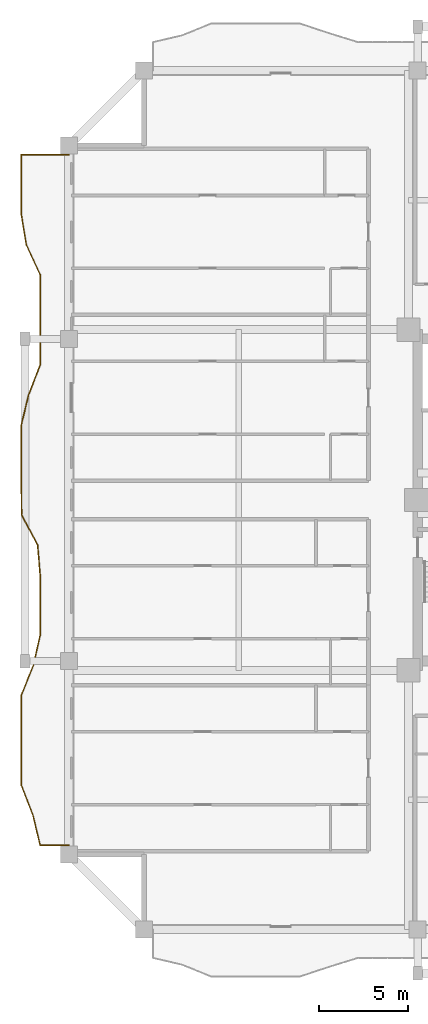
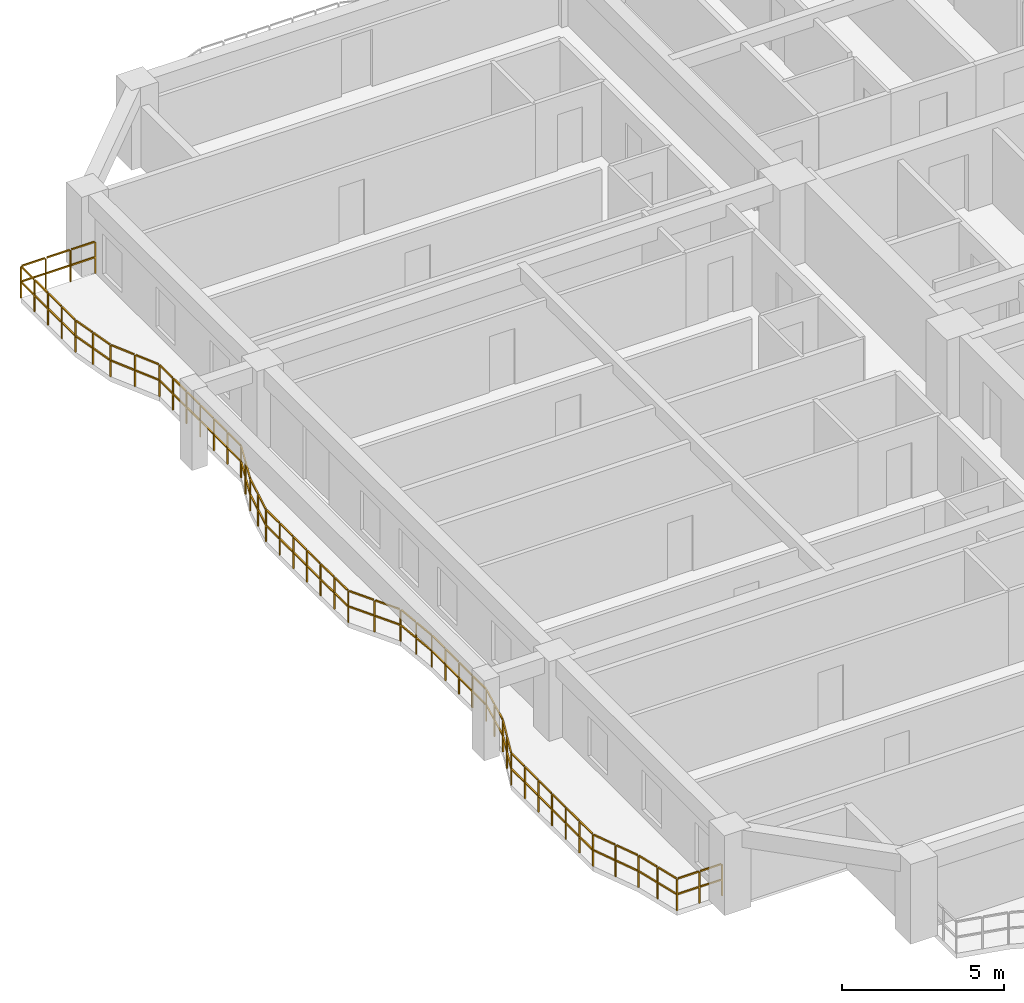
# One storey, part 10 of 13: 1 railing.
"""IFC4 building model written with IfcOpenShell, lengths in metres."""

from ifc_helpers import new_model, si_unit, direction, frame, origin, origin_2d, place, context, subcontext, project, spatial, rectangle, extrude, material, type_object, element, save


model = new_model("IFC4")

# Units and contexts
model_context = context("Model", 3, precision=1e-05, world=origin(), true_north=direction((0.0, 1.0)))
body_context = subcontext(model_context, "Body", "Model", "MODEL_VIEW")
ifc_project = project(units=[si_unit("LENGTHUNIT", "METRE"), si_unit("AREAUNIT", "SQUARE_METRE"), si_unit("VOLUMEUNIT", "CUBIC_METRE"), si_unit("PLANEANGLEUNIT", "RADIAN"), si_unit("MASSUNIT", "GRAM", prefix="KILO")], contexts=[model_context])

# Site, building, storey
site_placement = place(None, origin())
site = spatial("IfcSite", under=ifc_project, at=site_placement, CompositionType="ELEMENT")
building_placement = place(site_placement, origin())
building = spatial("IfcBuilding", under=site, at=building_placement, Name="Saelheon Loggia Tower", CompositionType="ELEMENT")
storey_placement = place(building_placement, frame((0.0, 0.0, 110.85009765625)))
storey = spatial("IfcBuildingStorey", under=building, at=storey_placement, Name="L35", CompositionType="ELEMENT", Elevation=110.85009765625)

# Railing
ifc_material = material(Name="Architectural Precast Concrete and Laminated Glass Guard", Category="concrete")
railing_type = type_object("IfcRailingType", Name="Guard_Loggia_RL_LOG", PredefinedType="BALUSTRADE", material=ifc_material)
railing_placement = place(storey_placement, frame((12.0, 46.300048828125, 0.0)))
element("IfcRailing", 1, at=railing_placement, inside=storey, type_object=railing_type, Name="L35 West Loggia Balustrade", PredefinedType="BALUSTRADE", context=body_context, shape_type="SweptSolid", body=[
    extrude(rectangle(XDim=0.048095703125, YDim=0.048095703125, at=origin_2d()), frame((-0.033203125, 0.0, 1.19580078125), z_axis=(-1.0, 0.0, 0.0), x_axis=(0.0, -1.0, 0.0)), (0.0, 0.0, 1.0), 0.81689453125),
    extrude(rectangle(XDim=0.048095703125, YDim=0.048095703125, at=origin_2d()), frame((-0.033203125, 0.0, 0.60986328125), z_axis=(-1.0, 0.0, 0.0), x_axis=(0.0, -1.0, 0.0)), (0.0, 0.0, 1.0), 0.81689453125),
    extrude(rectangle(XDim=0.048095703125, YDim=0.048095703125, at=origin_2d()), frame((-0.91650390625, 0.0, 1.19580078125), z_axis=(-1.0, 0.0, 0.0), x_axis=(0.0, -1.0, 0.0)), (0.0, 0.0, 1.0), 0.81689453125),
    extrude(rectangle(XDim=0.048095703125, YDim=0.048095703125, at=origin_2d()), frame((-0.91650390625, 0.0, 0.60986328125), z_axis=(-1.0, 0.0, 0.0), x_axis=(0.0, -1.0, 0.0)), (0.0, 0.0, 1.0), 0.81689453125),
    extrude(rectangle(XDim=0.048095703125, YDim=0.048095703125, at=origin_2d()), frame((-1.7998046875, 0.0, 1.19580078125), z_axis=(-1.0, 0.0, 0.0), x_axis=(0.0, -1.0, 0.0)), (0.0, 0.0, 1.0), 0.81689453125),
    extrude(rectangle(XDim=0.048095703125, YDim=0.048095703125, at=origin_2d()), frame((-1.7998046875, 0.0, 0.60986328125), z_axis=(-1.0, 0.0, 0.0), x_axis=(0.0, -1.0, 0.0)), (0.0, 0.0, 1.0), 0.81689453125),
    extrude(rectangle(XDim=0.048095703125, YDim=0.048095703125, at=origin_2d()), frame((-2.64990234375, -0.033203125, 1.19580078125), z_axis=(0.0, -1.0, 0.0), x_axis=(1.0, 0.0, 0.0)), (0.0, 0.0, 1.0), 0.772705078125),
    extrude(rectangle(XDim=0.048095703125, YDim=0.048095703125, at=origin_2d()), frame((-2.64990234375, -0.033203125, 0.60986328125), z_axis=(0.0, -1.0, 0.0), x_axis=(1.0, 0.0, 0.0)), (0.0, 0.0, 1.0), 0.772705078125),
    extrude(rectangle(XDim=0.048095703125, YDim=0.048095703125, at=origin_2d()), frame((-2.64990234375, -0.87255859375, 1.19580078125), z_axis=(0.0, -1.0, 0.0), x_axis=(1.0, 0.0, 0.0)), (0.0, 0.0, 1.0), 0.772705078125),
    extrude(rectangle(XDim=0.048095703125, YDim=0.048095703125, at=origin_2d()), frame((-2.64990234375, -0.87255859375, 0.60986328125), z_axis=(0.0, -1.0, 0.0), x_axis=(1.0, 0.0, 0.0)), (0.0, 0.0, 1.0), 0.772705078125),
    extrude(rectangle(XDim=0.048095703125, YDim=0.048095703125, at=origin_2d()), frame((-2.64990234375, -1.711669921875, 1.19580078125), z_axis=(0.0, -1.0, 0.0), x_axis=(1.0, 0.0, 0.0)), (0.0, 0.0, 1.0), 0.7724609375),
    extrude(rectangle(XDim=0.048095703125, YDim=0.048095703125, at=origin_2d()), frame((-2.64990234375, -1.711669921875, 0.60986328125), z_axis=(0.0, -1.0, 0.0), x_axis=(1.0, 0.0, 0.0)), (0.0, 0.0, 1.0), 0.7724609375),
    extrude(rectangle(XDim=0.048095703125, YDim=0.048095703125, at=origin_2d()), frame((-2.64990234375, -2.55078125, 1.19580078125), z_axis=(0.0, -1.0, 0.0), x_axis=(1.0, 0.0, 0.0)), (0.0, 0.0, 1.0), 0.7724609375),
    extrude(rectangle(XDim=0.048095703125, YDim=0.048095703125, at=origin_2d()), frame((-2.64990234375, -2.55078125, 0.60986328125), z_axis=(0.0, -1.0, 0.0), x_axis=(1.0, 0.0, 0.0)), (0.0, 0.0, 1.0), 0.7724609375),
    extrude(rectangle(XDim=0.048095703125, YDim=0.048095703125, at=origin_2d()), frame((-2.64453125, -3.38916015625, 1.19580078125), z_axis=(0.16176815253, -0.986828792054, 0.0), x_axis=(0.986828792054, 0.16176815253, 0.0)), (0.0, 0.0, 1.0), 0.783935546875),
    extrude(rectangle(XDim=0.048095703125, YDim=0.048095703125, at=origin_2d()), frame((-2.64453125, -3.38916015625, 0.60986328125), z_axis=(0.16176815253, -0.986828792054, 0.0), x_axis=(0.986828792054, 0.16176815253, 0.0)), (0.0, 0.0, 1.0), 0.783935546875),
    extrude(rectangle(XDim=0.048095703125, YDim=0.048095703125, at=origin_2d()), frame((-2.5068359375, -4.228515625, 1.19580078125), z_axis=(0.16176815253, -0.986828792054, 0.0), x_axis=(0.986828792054, 0.16176815253, 0.0)), (0.0, 0.0, 1.0), 0.783935546875),
    extrude(rectangle(XDim=0.048095703125, YDim=0.048095703125, at=origin_2d()), frame((-2.5068359375, -4.228515625, 0.60986328125), z_axis=(0.16176815253, -0.986828792054, 0.0), x_axis=(0.986828792054, 0.16176815253, 0.0)), (0.0, 0.0, 1.0), 0.783935546875),
    extrude(rectangle(XDim=0.048095703125, YDim=0.048095703125, at=origin_2d()), frame((-2.36083984375, -5.065185546875, 1.19580078125), z_axis=(0.419100057061, -0.907940054283, 0.0), x_axis=(0.907940054283, 0.419100057061, 0.0)), (0.0, 0.0, 1.0), 0.857666015625),
    extrude(rectangle(XDim=0.048095703125, YDim=0.048095703125, at=origin_2d()), frame((-2.36083984375, -5.065185546875, 0.60986328125), z_axis=(0.419100057061, -0.907940054283, 0.0), x_axis=(0.907940054283, 0.419100057061, 0.0)), (0.0, 0.0, 1.0), 0.857666015625),
    extrude(rectangle(XDim=0.048095703125, YDim=0.048095703125, at=origin_2d()), frame((-1.973388671875, -5.904296875, 1.19580078125), z_axis=(0.419100057061, -0.907940054283, 0.0), x_axis=(0.907940054283, 0.419100057061, 0.0)), (0.0, 0.0, 1.0), 0.857666015625),
    extrude(rectangle(XDim=0.048095703125, YDim=0.048095703125, at=origin_2d()), frame((-1.973388671875, -5.904296875, 0.60986328125), z_axis=(0.419100057061, -0.907940054283, 0.0), x_axis=(0.907940054283, 0.419100057061, 0.0)), (0.0, 0.0, 1.0), 0.857666015625),
    extrude(rectangle(XDim=0.048095703125, YDim=0.048095703125, at=origin_2d()), frame((-1.60009765625, -6.746337890625, 1.19580078125), z_axis=(0.0, -1.0, 0.0), x_axis=(1.0, 0.0, 0.0)), (0.0, 0.0, 1.0), 0.772705078125),
    extrude(rectangle(XDim=0.048095703125, YDim=0.048095703125, at=origin_2d()), frame((-1.60009765625, -6.746337890625, 0.60986328125), z_axis=(0.0, -1.0, 0.0), x_axis=(1.0, 0.0, 0.0)), (0.0, 0.0, 1.0), 0.772705078125),
    extrude(rectangle(XDim=0.048095703125, YDim=0.048095703125, at=origin_2d()), frame((-1.60009765625, -7.58544921875, 1.19580078125), z_axis=(0.0, -1.0, 0.0), x_axis=(1.0, 0.0, 0.0)), (0.0, 0.0, 1.0), 0.772705078125),
    extrude(rectangle(XDim=0.048095703125, YDim=0.048095703125, at=origin_2d()), frame((-1.60009765625, -7.58544921875, 0.60986328125), z_axis=(0.0, -1.0, 0.0), x_axis=(1.0, 0.0, 0.0)), (0.0, 0.0, 1.0), 0.772705078125),
    extrude(rectangle(XDim=0.048095703125, YDim=0.048095703125, at=origin_2d()), frame((-1.60009765625, -8.424560546875, 1.19580078125), z_axis=(0.0, -1.0, 0.0), x_axis=(1.0, 0.0, 0.0)), (0.0, 0.0, 1.0), 0.772705078125),
    extrude(rectangle(XDim=0.048095703125, YDim=0.048095703125, at=origin_2d()), frame((-1.60009765625, -8.424560546875, 0.60986328125), z_axis=(0.0, -1.0, 0.0), x_axis=(1.0, 0.0, 0.0)), (0.0, 0.0, 1.0), 0.772705078125),
    extrude(rectangle(XDim=0.048095703125, YDim=0.048095703125, at=origin_2d()), frame((-1.60009765625, -9.263671875, 1.19580078125), z_axis=(0.0, -1.0, 0.0), x_axis=(1.0, 0.0, 0.0)), (0.0, 0.0, 1.0), 0.772705078125),
    extrude(rectangle(XDim=0.048095703125, YDim=0.048095703125, at=origin_2d()), frame((-1.60009765625, -9.263671875, 0.60986328125), z_axis=(0.0, -1.0, 0.0), x_axis=(1.0, 0.0, 0.0)), (0.0, 0.0, 1.0), 0.772705078125),
    extrude(rectangle(XDim=0.048095703125, YDim=0.048095703125, at=origin_2d()), frame((-1.60009765625, -10.102783203125, 1.19580078125), z_axis=(0.0, -1.0, 0.0), x_axis=(1.0, 0.0, 0.0)), (0.0, 0.0, 1.0), 0.772705078125),
    extrude(rectangle(XDim=0.048095703125, YDim=0.048095703125, at=origin_2d()), frame((-1.60009765625, -10.102783203125, 0.60986328125), z_axis=(0.0, -1.0, 0.0), x_axis=(1.0, 0.0, 0.0)), (0.0, 0.0, 1.0), 0.772705078125),
    extrude(rectangle(XDim=0.048095703125, YDim=0.048095703125, at=origin_2d()), frame((-1.60009765625, -10.94189453125, 1.19580078125), z_axis=(0.0, -1.0, 0.0), x_axis=(1.0, 0.0, 0.0)), (0.0, 0.0, 1.0), 0.772705078125),
    extrude(rectangle(XDim=0.048095703125, YDim=0.048095703125, at=origin_2d()), frame((-1.60009765625, -10.94189453125, 0.60986328125), z_axis=(0.0, -1.0, 0.0), x_axis=(1.0, 0.0, 0.0)), (0.0, 0.0, 1.0), 0.772705078125),
    extrude(rectangle(XDim=0.048095703125, YDim=0.048095703125, at=origin_2d()), frame((-1.612060546875, -11.77880859375, 1.19580078125), z_axis=(-0.358951787018, -0.93335610278, 0.0), x_axis=(0.93335610278, -0.358951787018, 0.0)), (0.0, 0.0, 1.0), 0.832763671875),
    extrude(rectangle(XDim=0.048095703125, YDim=0.048095703125, at=origin_2d()), frame((-1.612060546875, -11.77880859375, 0.60986328125), z_axis=(-0.358951787018, -0.93335610278, 0.0), x_axis=(0.93335610278, -0.358951787018, 0.0)), (0.0, 0.0, 1.0), 0.832763671875),
    extrude(rectangle(XDim=0.048095703125, YDim=0.048095703125, at=origin_2d()), frame((-1.934814453125, -12.6181640625, 1.19580078125), z_axis=(-0.358951787018, -0.93335610278, 0.0), x_axis=(0.93335610278, -0.358951787018, 0.0)), (0.0, 0.0, 1.0), 0.832763671875),
    extrude(rectangle(XDim=0.048095703125, YDim=0.048095703125, at=origin_2d()), frame((-1.934814453125, -12.6181640625, 0.60986328125), z_axis=(-0.358951787018, -0.93335610278, 0.0), x_axis=(0.93335610278, -0.358951787018, 0.0)), (0.0, 0.0, 1.0), 0.832763671875),
    extrude(rectangle(XDim=0.048095703125, YDim=0.048095703125, at=origin_2d()), frame((-2.25341796875, -13.45849609375, 1.19580078125), z_axis=(-0.234239529091, -0.972178915124, 0.0), x_axis=(0.972178915124, -0.234239529091, 0.0)), (0.0, 0.0, 1.0), 0.796630859375),
    extrude(rectangle(XDim=0.048095703125, YDim=0.048095703125, at=origin_2d()), frame((-2.25341796875, -13.45849609375, 0.60986328125), z_axis=(-0.234239529091, -0.972178915124, 0.0), x_axis=(0.972178915124, -0.234239529091, 0.0)), (0.0, 0.0, 1.0), 0.796630859375),
    extrude(rectangle(XDim=0.048095703125, YDim=0.048095703125, at=origin_2d()), frame((-2.45556640625, -14.297607421875, 1.19580078125), z_axis=(-0.234239529091, -0.972178915124, 0.0), x_axis=(0.972178915124, -0.234239529091, 0.0)), (0.0, 0.0, 1.0), 0.796630859375),
    extrude(rectangle(XDim=0.048095703125, YDim=0.048095703125, at=origin_2d()), frame((-2.45556640625, -14.297607421875, 0.60986328125), z_axis=(-0.234239529091, -0.972178915124, 0.0), x_axis=(0.972178915124, -0.234239529091, 0.0)), (0.0, 0.0, 1.0), 0.796630859375),
    extrude(rectangle(XDim=0.048095703125, YDim=0.048095703125, at=origin_2d()), frame((-2.64990234375, -15.137451171875, 1.19580078125), z_axis=(0.0, -1.0, 0.0), x_axis=(1.0, 0.0, 0.0)), (0.0, 0.0, 1.0), 0.772705078125),
    extrude(rectangle(XDim=0.048095703125, YDim=0.048095703125, at=origin_2d()), frame((-2.64990234375, -15.137451171875, 0.60986328125), z_axis=(0.0, -1.0, 0.0), x_axis=(1.0, 0.0, 0.0)), (0.0, 0.0, 1.0), 0.772705078125),
    extrude(rectangle(XDim=0.048095703125, YDim=0.048095703125, at=origin_2d()), frame((-2.64990234375, -15.976806640625, 1.19580078125), z_axis=(0.0, -1.0, 0.0), x_axis=(1.0, 0.0, 0.0)), (0.0, 0.0, 1.0), 0.772705078125),
    extrude(rectangle(XDim=0.048095703125, YDim=0.048095703125, at=origin_2d()), frame((-2.64990234375, -15.976806640625, 0.60986328125), z_axis=(0.0, -1.0, 0.0), x_axis=(1.0, 0.0, 0.0)), (0.0, 0.0, 1.0), 0.772705078125),
    extrude(rectangle(XDim=0.048095703125, YDim=0.048095703125, at=origin_2d()), frame((-2.64990234375, -16.81591796875, 1.19580078125), z_axis=(0.0, -1.0, 0.0), x_axis=(1.0, 0.0, 0.0)), (0.0, 0.0, 1.0), 0.772705078125),
    extrude(rectangle(XDim=0.048095703125, YDim=0.048095703125, at=origin_2d()), frame((-2.64990234375, -16.81591796875, 0.60986328125), z_axis=(0.0, -1.0, 0.0), x_axis=(1.0, 0.0, 0.0)), (0.0, 0.0, 1.0), 0.772705078125),
    extrude(rectangle(XDim=0.048095703125, YDim=0.048095703125, at=origin_2d()), frame((-2.64990234375, -17.655029296875, 1.19580078125), z_axis=(0.0, -1.0, 0.0), x_axis=(1.0, 0.0, 0.0)), (0.0, 0.0, 1.0), 0.772705078125),
    extrude(rectangle(XDim=0.048095703125, YDim=0.048095703125, at=origin_2d()), frame((-2.64990234375, -17.655029296875, 0.60986328125), z_axis=(0.0, -1.0, 0.0), x_axis=(1.0, 0.0, 0.0)), (0.0, 0.0, 1.0), 0.772705078125),
    extrude(rectangle(XDim=0.048095703125, YDim=0.048095703125, at=origin_2d()), frame((-2.649658203125, -18.494140625, 1.19580078125), z_axis=(0.009310041647, -0.999956660623, 0.0), x_axis=(0.999956660623, 0.009310041647, 0.0)), (0.0, 0.0, 1.0), 0.772705078125),
    extrude(rectangle(XDim=0.048095703125, YDim=0.048095703125, at=origin_2d()), frame((-2.649658203125, -18.494140625, 0.60986328125), z_axis=(0.009310041647, -0.999956660623, 0.0), x_axis=(0.999956660623, 0.009310041647, 0.0)), (0.0, 0.0, 1.0), 0.772705078125),
    extrude(rectangle(XDim=0.048095703125, YDim=0.048095703125, at=origin_2d()), frame((-2.641845703125, -19.333251953125, 1.19580078125), z_axis=(0.009310041647, -0.999956660623, 0.0), x_axis=(0.999956660623, 0.009310041647, 0.0)), (0.0, 0.0, 1.0), 0.772705078125),
    extrude(rectangle(XDim=0.048095703125, YDim=0.048095703125, at=origin_2d()), frame((-2.641845703125, -19.333251953125, 0.60986328125), z_axis=(0.009310041647, -0.999956660623, 0.0), x_axis=(0.999956660623, 0.009310041647, 0.0)), (0.0, 0.0, 1.0), 0.772705078125),
    extrude(rectangle(XDim=0.048095703125, YDim=0.048095703125, at=origin_2d()), frame((-2.61865234375, -20.16845703125, 1.19580078125), z_axis=(0.470474964031, -0.882413343179, 0.0), x_axis=(0.882413343179, 0.470474964031, 0.0)), (0.0, 0.0, 1.0), 0.884521484375),
    extrude(rectangle(XDim=0.048095703125, YDim=0.048095703125, at=origin_2d()), frame((-2.61865234375, -20.16845703125, 0.60986328125), z_axis=(0.470474964031, -0.882413343179, 0.0), x_axis=(0.882413343179, 0.470474964031, 0.0)), (0.0, 0.0, 1.0), 0.884521484375),
    extrude(rectangle(XDim=0.048095703125, YDim=0.048095703125, at=origin_2d()), frame((-2.171142578125, -21.007568359375, 1.19580078125), z_axis=(0.470474964031, -0.882413343179, 0.0), x_axis=(0.882413343179, 0.470474964031, 0.0)), (0.0, 0.0, 1.0), 0.884521484375),
    extrude(rectangle(XDim=0.048095703125, YDim=0.048095703125, at=origin_2d()), frame((-2.171142578125, -21.007568359375, 0.60986328125), z_axis=(0.470474964031, -0.882413343179, 0.0), x_axis=(0.882413343179, 0.470474964031, 0.0)), (0.0, 0.0, 1.0), 0.884521484375),
    extrude(rectangle(XDim=0.048095703125, YDim=0.048095703125, at=origin_2d()), frame((-1.73681640625, -21.8505859375, 1.19580078125), z_axis=(0.082769561471, -0.996568712982, 0.0), x_axis=(0.996568712982, 0.082769561471, 0.0)), (0.0, 0.0, 1.0), 0.775634765625),
    extrude(rectangle(XDim=0.048095703125, YDim=0.048095703125, at=origin_2d()), frame((-1.73681640625, -21.8505859375, 0.60986328125), z_axis=(0.082769561471, -0.996568712982, 0.0), x_axis=(0.996568712982, 0.082769561471, 0.0)), (0.0, 0.0, 1.0), 0.775634765625),
    extrude(rectangle(XDim=0.048095703125, YDim=0.048095703125, at=origin_2d()), frame((-1.6669921875, -22.689697265625, 1.19580078125), z_axis=(0.082769561471, -0.996568712982, 0.0), x_axis=(0.996568712982, 0.082769561471, 0.0)), (0.0, 0.0, 1.0), 0.775634765625),
    extrude(rectangle(XDim=0.048095703125, YDim=0.048095703125, at=origin_2d()), frame((-1.6669921875, -22.689697265625, 0.60986328125), z_axis=(0.082769561471, -0.996568712982, 0.0), x_axis=(0.996568712982, 0.082769561471, 0.0)), (0.0, 0.0, 1.0), 0.775634765625),
    extrude(rectangle(XDim=0.048095703125, YDim=0.048095703125, at=origin_2d()), frame((-1.60009765625, -23.529052734375, 1.19580078125), z_axis=(0.0, -1.0, 0.0), x_axis=(1.0, 0.0, 0.0)), (0.0, 0.0, 1.0), 0.7724609375),
    extrude(rectangle(XDim=0.048095703125, YDim=0.048095703125, at=origin_2d()), frame((-1.60009765625, -23.529052734375, 0.60986328125), z_axis=(0.0, -1.0, 0.0), x_axis=(1.0, 0.0, 0.0)), (0.0, 0.0, 1.0), 0.7724609375),
    extrude(rectangle(XDim=0.048095703125, YDim=0.048095703125, at=origin_2d()), frame((-1.60009765625, -24.3681640625, 1.19580078125), z_axis=(0.0, -1.0, 0.0), x_axis=(1.0, 0.0, 0.0)), (0.0, 0.0, 1.0), 0.7724609375),
    extrude(rectangle(XDim=0.048095703125, YDim=0.048095703125, at=origin_2d()), frame((-1.60009765625, -24.3681640625, 0.60986328125), z_axis=(0.0, -1.0, 0.0), x_axis=(1.0, 0.0, 0.0)), (0.0, 0.0, 1.0), 0.7724609375),
    extrude(rectangle(XDim=0.048095703125, YDim=0.048095703125, at=origin_2d()), frame((-1.60009765625, -25.20703125, 1.19580078125), z_axis=(0.0, -1.0, 0.0), x_axis=(1.0, 0.0, 0.0)), (0.0, 0.0, 1.0), 0.772705078125),
    extrude(rectangle(XDim=0.048095703125, YDim=0.048095703125, at=origin_2d()), frame((-1.60009765625, -25.20703125, 0.60986328125), z_axis=(0.0, -1.0, 0.0), x_axis=(1.0, 0.0, 0.0)), (0.0, 0.0, 1.0), 0.772705078125),
    extrude(rectangle(XDim=0.048095703125, YDim=0.048095703125, at=origin_2d()), frame((-1.60009765625, -26.04638671875, 1.19580078125), z_axis=(0.0, -1.0, 0.0), x_axis=(1.0, 0.0, 0.0)), (0.0, 0.0, 1.0), 0.772705078125),
    extrude(rectangle(XDim=0.048095703125, YDim=0.048095703125, at=origin_2d()), frame((-1.60009765625, -26.04638671875, 0.60986328125), z_axis=(0.0, -1.0, 0.0), x_axis=(1.0, 0.0, 0.0)), (0.0, 0.0, 1.0), 0.772705078125),
    extrude(rectangle(XDim=0.048095703125, YDim=0.048095703125, at=origin_2d()), frame((-1.607421875, -26.884765625, 1.19580078125), z_axis=(-0.219019037478, -0.97572058563, 0.0), x_axis=(0.97572058563, -0.219019037478, 0.0)), (0.0, 0.0, 1.0), 0.79345703125),
    extrude(rectangle(XDim=0.048095703125, YDim=0.048095703125, at=origin_2d()), frame((-1.607421875, -26.884765625, 0.60986328125), z_axis=(-0.219019037478, -0.97572058563, 0.0), x_axis=(0.97572058563, -0.219019037478, 0.0)), (0.0, 0.0, 1.0), 0.79345703125),
    extrude(rectangle(XDim=0.048095703125, YDim=0.048095703125, at=origin_2d()), frame((-1.795654296875, -27.723876953125, 1.19580078125), z_axis=(-0.219019037478, -0.97572058563, 0.0), x_axis=(0.97572058563, -0.219019037478, 0.0)), (0.0, 0.0, 1.0), 0.79345703125),
    extrude(rectangle(XDim=0.048095703125, YDim=0.048095703125, at=origin_2d()), frame((-1.795654296875, -27.723876953125, 0.60986328125), z_axis=(-0.219019037478, -0.97572058563, 0.0), x_axis=(0.97572058563, -0.219019037478, 0.0)), (0.0, 0.0, 1.0), 0.79345703125),
    extrude(rectangle(XDim=0.048095703125, YDim=0.048095703125, at=origin_2d()), frame((-1.9892578125, -28.561279296875, 1.19580078125), z_axis=(-0.372251854994, -0.928131755977, 0.0), x_axis=(0.928131755977, -0.372251854994, 0.0)), (0.0, 0.0, 1.0), 0.837646484375),
    extrude(rectangle(XDim=0.048095703125, YDim=0.048095703125, at=origin_2d()), frame((-1.9892578125, -28.561279296875, 0.60986328125), z_axis=(-0.372251854994, -0.928131755977, 0.0), x_axis=(0.928131755977, -0.372251854994, 0.0)), (0.0, 0.0, 1.0), 0.837646484375),
    extrude(rectangle(XDim=0.048095703125, YDim=0.048095703125, at=origin_2d()), frame((-2.32568359375, -29.400390625, 1.19580078125), z_axis=(-0.372251854994, -0.928131755977, 0.0), x_axis=(0.928131755977, -0.372251854994, 0.0)), (0.0, 0.0, 1.0), 0.837646484375),
    extrude(rectangle(XDim=0.048095703125, YDim=0.048095703125, at=origin_2d()), frame((-2.32568359375, -29.400390625, 0.60986328125), z_axis=(-0.372251854994, -0.928131755977, 0.0), x_axis=(0.928131755977, -0.372251854994, 0.0)), (0.0, 0.0, 1.0), 0.837646484375),
    extrude(rectangle(XDim=0.048095703125, YDim=0.048095703125, at=origin_2d()), frame((-2.64990234375, -30.241943359375, 1.19580078125), z_axis=(0.0, -1.0, 0.0), x_axis=(1.0, 0.0, 0.0)), (0.0, 0.0, 1.0), 0.772705078125),
    extrude(rectangle(XDim=0.048095703125, YDim=0.048095703125, at=origin_2d()), frame((-2.64990234375, -30.241943359375, 0.60986328125), z_axis=(0.0, -1.0, 0.0), x_axis=(1.0, 0.0, 0.0)), (0.0, 0.0, 1.0), 0.772705078125),
    extrude(rectangle(XDim=0.048095703125, YDim=0.048095703125, at=origin_2d()), frame((-2.64990234375, -31.0810546875, 1.19580078125), z_axis=(0.0, -1.0, 0.0), x_axis=(1.0, 0.0, 0.0)), (0.0, 0.0, 1.0), 0.772705078125),
    extrude(rectangle(XDim=0.048095703125, YDim=0.048095703125, at=origin_2d()), frame((-2.64990234375, -31.0810546875, 0.60986328125), z_axis=(0.0, -1.0, 0.0), x_axis=(1.0, 0.0, 0.0)), (0.0, 0.0, 1.0), 0.772705078125),
    extrude(rectangle(XDim=0.048095703125, YDim=0.048095703125, at=origin_2d()), frame((-2.64990234375, -31.920166015625, 1.19580078125), z_axis=(0.0, -1.0, 0.0), x_axis=(1.0, 0.0, 0.0)), (0.0, 0.0, 1.0), 0.772705078125),
    extrude(rectangle(XDim=0.048095703125, YDim=0.048095703125, at=origin_2d()), frame((-2.64990234375, -31.920166015625, 0.60986328125), z_axis=(0.0, -1.0, 0.0), x_axis=(1.0, 0.0, 0.0)), (0.0, 0.0, 1.0), 0.772705078125),
    extrude(rectangle(XDim=0.048095703125, YDim=0.048095703125, at=origin_2d()), frame((-2.64990234375, -32.75927734375, 1.19580078125), z_axis=(0.0, -1.0, 0.0), x_axis=(1.0, 0.0, 0.0)), (0.0, 0.0, 1.0), 0.772705078125),
    extrude(rectangle(XDim=0.048095703125, YDim=0.048095703125, at=origin_2d()), frame((-2.64990234375, -32.75927734375, 0.60986328125), z_axis=(0.0, -1.0, 0.0), x_axis=(1.0, 0.0, 0.0)), (0.0, 0.0, 1.0), 0.772705078125),
    extrude(rectangle(XDim=0.048095703125, YDim=0.048095703125, at=origin_2d()), frame((-2.64990234375, -33.598388671875, 1.19580078125), z_axis=(0.0, -1.0, 0.0), x_axis=(1.0, 0.0, 0.0)), (0.0, 0.0, 1.0), 0.772705078125),
    extrude(rectangle(XDim=0.048095703125, YDim=0.048095703125, at=origin_2d()), frame((-2.64990234375, -33.598388671875, 0.60986328125), z_axis=(0.0, -1.0, 0.0), x_axis=(1.0, 0.0, 0.0)), (0.0, 0.0, 1.0), 0.772705078125),
    extrude(rectangle(XDim=0.048095703125, YDim=0.048095703125, at=origin_2d()), frame((-2.64990234375, -34.437744140625, 1.19580078125), z_axis=(0.0, -1.0, 0.0), x_axis=(1.0, 0.0, 0.0)), (0.0, 0.0, 1.0), 0.772705078125),
    extrude(rectangle(XDim=0.048095703125, YDim=0.048095703125, at=origin_2d()), frame((-2.64990234375, -34.437744140625, 0.60986328125), z_axis=(0.0, -1.0, 0.0), x_axis=(1.0, 0.0, 0.0)), (0.0, 0.0, 1.0), 0.772705078125),
    extrude(rectangle(XDim=0.048095703125, YDim=0.048095703125, at=origin_2d()), frame((-2.637939453125, -35.274658203125, 1.19580078125), z_axis=(0.359988539971, -0.932956725197, 0.0), x_axis=(0.932956725197, 0.359988539971, 0.0)), (0.0, 0.0, 1.0), 0.832763671875),
    extrude(rectangle(XDim=0.048095703125, YDim=0.048095703125, at=origin_2d()), frame((-2.637939453125, -35.274658203125, 0.60986328125), z_axis=(0.359988539971, -0.932956725197, 0.0), x_axis=(0.932956725197, 0.359988539971, 0.0)), (0.0, 0.0, 1.0), 0.832763671875),
    extrude(rectangle(XDim=0.048095703125, YDim=0.048095703125, at=origin_2d()), frame((-2.314208984375, -36.11376953125, 1.19580078125), z_axis=(0.359988539971, -0.932956725197, 0.0), x_axis=(0.932956725197, 0.359988539971, 0.0)), (0.0, 0.0, 1.0), 0.832763671875),
    extrude(rectangle(XDim=0.048095703125, YDim=0.048095703125, at=origin_2d()), frame((-2.314208984375, -36.11376953125, 0.60986328125), z_axis=(0.359988539971, -0.932956725197, 0.0), x_axis=(0.932956725197, 0.359988539971, 0.0)), (0.0, 0.0, 1.0), 0.832763671875),
    extrude(rectangle(XDim=0.048095703125, YDim=0.048095703125, at=origin_2d()), frame((-1.99462890625, -36.953857421875, 1.19580078125), z_axis=(0.233105455965, -0.972451462233, 0.0), x_axis=(0.972451462233, 0.233105455965, 0.0)), (0.0, 0.0, 1.0), 0.796630859375),
    extrude(rectangle(XDim=0.048095703125, YDim=0.048095703125, at=origin_2d()), frame((-1.99462890625, -36.953857421875, 0.60986328125), z_axis=(0.233105455965, -0.972451462233, 0.0), x_axis=(0.972451462233, 0.233105455965, 0.0)), (0.0, 0.0, 1.0), 0.796630859375),
    extrude(rectangle(XDim=0.048095703125, YDim=0.048095703125, at=origin_2d()), frame((-1.79345703125, -37.793212890625, 1.19580078125), z_axis=(0.233105455965, -0.972451462233, 0.0), x_axis=(0.972451462233, 0.233105455965, 0.0)), (0.0, 0.0, 1.0), 0.796630859375),
    extrude(rectangle(XDim=0.048095703125, YDim=0.048095703125, at=origin_2d()), frame((-1.79345703125, -37.793212890625, 0.60986328125), z_axis=(0.233105455965, -0.972451462233, 0.0), x_axis=(0.972451462233, 0.233105455965, 0.0)), (0.0, 0.0, 1.0), 0.796630859375),
    extrude(rectangle(XDim=0.048095703125, YDim=0.048095703125, at=origin_2d()), frame((-1.56689453125, -38.60009765625, 1.19580078125), z_axis=(1.0, 0.0, 0.0), x_axis=(0.0, 1.0, 0.0)), (0.0, 0.0, 1.0), 0.733642578125),
    extrude(rectangle(XDim=0.048095703125, YDim=0.048095703125, at=origin_2d()), frame((-1.56689453125, -38.60009765625, 0.60986328125), z_axis=(1.0, 0.0, 0.0), x_axis=(0.0, 1.0, 0.0)), (0.0, 0.0, 1.0), 0.733642578125),
    extrude(rectangle(XDim=0.048095703125, YDim=0.048095703125, at=origin_2d()), frame((-0.766845703125, -38.60009765625, 1.19580078125), z_axis=(1.0, 0.0, 0.0), x_axis=(0.0, 1.0, 0.0)), (0.0, 0.0, 1.0), 0.733642578125),
    extrude(rectangle(XDim=0.048095703125, YDim=0.048095703125, at=origin_2d()), frame((-0.766845703125, -38.60009765625, 0.60986328125), z_axis=(1.0, 0.0, 0.0), x_axis=(0.0, 1.0, 0.0)), (0.0, 0.0, 1.0), 0.733642578125),
    extrude(rectangle(XDim=0.0419921875, YDim=0.0419921875, at=origin_2d()), origin(), (0.0, 0.0, 1.0), 1.16796875),
    extrude(rectangle(XDim=0.0419921875, YDim=0.0419921875, at=origin_2d()), frame((-0.88330078125, 0.0, 0.0)), (0.0, 0.0, 1.0), 1.16796875),
    extrude(rectangle(XDim=0.0419921875, YDim=0.0419921875, at=origin_2d()), frame((-1.7666015625, 0.0, 0.0)), (0.0, 0.0, 1.0), 1.16796875),
    extrude(rectangle(XDim=0.0419921875, YDim=0.0419921875, at=origin_2d()), frame((-2.64990234375, 0.0, 0.0)), (0.0, 0.0, 1.0), 1.16796875),
    extrude(rectangle(XDim=0.0419921875, YDim=0.0419921875, at=origin_2d()), frame((-2.64990234375, -0.83935546875, 0.0)), (0.0, 0.0, 1.0), 1.16796875),
    extrude(rectangle(XDim=0.0419921875, YDim=0.0419921875, at=origin_2d()), frame((-2.64990234375, -1.678466796875, 0.0)), (0.0, 0.0, 1.0), 1.16796875),
    extrude(rectangle(XDim=0.0419921875, YDim=0.0419921875, at=origin_2d()), frame((-2.64990234375, -2.517578125, 0.0)), (0.0, 0.0, 1.0), 1.16796875),
    extrude(rectangle(XDim=0.0419921875, YDim=0.0419921875, at=origin_2d()), frame((-2.64990234375, -3.3564453125, 0.0)), (0.0, 0.0, 1.0), 1.16796875),
    extrude(rectangle(XDim=0.0419921875, YDim=0.0419921875, at=origin_2d()), frame((-2.51220703125, -4.19580078125, 0.0)), (0.0, 0.0, 1.0), 1.16796875),
    extrude(rectangle(XDim=0.0419921875, YDim=0.0419921875, at=origin_2d()), frame((-2.374755859375, -5.034912109375, 0.0)), (0.0, 0.0, 1.0), 1.16796875),
    extrude(rectangle(XDim=0.0419921875, YDim=0.0419921875, at=origin_2d()), frame((-1.9873046875, -5.8740234375, 0.0)), (0.0, 0.0, 1.0), 1.16796875),
    extrude(rectangle(XDim=0.0419921875, YDim=0.0419921875, at=origin_2d()), frame((-1.60009765625, -6.713134765625, 0.0)), (0.0, 0.0, 1.0), 1.16796875),
    extrude(rectangle(XDim=0.0419921875, YDim=0.0419921875, at=origin_2d()), frame((-1.60009765625, -7.55224609375, 0.0)), (0.0, 0.0, 1.0), 1.16796875),
    extrude(rectangle(XDim=0.0419921875, YDim=0.0419921875, at=origin_2d()), frame((-1.60009765625, -8.391357421875, 0.0)), (0.0, 0.0, 1.0), 1.16796875),
    extrude(rectangle(XDim=0.0419921875, YDim=0.0419921875, at=origin_2d()), frame((-1.60009765625, -9.23046875, 0.0)), (0.0, 0.0, 1.0), 1.16796875),
    extrude(rectangle(XDim=0.0419921875, YDim=0.0419921875, at=origin_2d()), frame((-1.60009765625, -10.069580078125, 0.0)), (0.0, 0.0, 1.0), 1.16796875),
    extrude(rectangle(XDim=0.0419921875, YDim=0.0419921875, at=origin_2d()), frame((-1.60009765625, -10.90869140625, 0.0)), (0.0, 0.0, 1.0), 1.16796875),
    extrude(rectangle(XDim=0.0419921875, YDim=0.0419921875, at=origin_2d()), frame((-1.60009765625, -11.747802734375, 0.0)), (0.0, 0.0, 1.0), 1.16796875),
    extrude(rectangle(XDim=0.0419921875, YDim=0.0419921875, at=origin_2d()), frame((-1.9228515625, -12.5869140625, 0.0)), (0.0, 0.0, 1.0), 1.16796875),
    extrude(rectangle(XDim=0.0419921875, YDim=0.0419921875, at=origin_2d()), frame((-2.24560546875, -13.42626953125, 0.0)), (0.0, 0.0, 1.0), 1.16796875),
    extrude(rectangle(XDim=0.0419921875, YDim=0.0419921875, at=origin_2d()), frame((-2.44775390625, -14.26513671875, 0.0)), (0.0, 0.0, 1.0), 1.16796875),
    extrude(rectangle(XDim=0.0419921875, YDim=0.0419921875, at=origin_2d()), frame((-2.64990234375, -15.104248046875, 0.0)), (0.0, 0.0, 1.0), 1.16796875),
    extrude(rectangle(XDim=0.0419921875, YDim=0.0419921875, at=origin_2d()), frame((-2.64990234375, -15.943359375, 0.0)), (0.0, 0.0, 1.0), 1.16796875),
    extrude(rectangle(XDim=0.0419921875, YDim=0.0419921875, at=origin_2d()), frame((-2.64990234375, -16.78271484375, 0.0)), (0.0, 0.0, 1.0), 1.16796875),
    extrude(rectangle(XDim=0.0419921875, YDim=0.0419921875, at=origin_2d()), frame((-2.64990234375, -17.621826171875, 0.0)), (0.0, 0.0, 1.0), 1.16796875),
    extrude(rectangle(XDim=0.0419921875, YDim=0.0419921875, at=origin_2d()), frame((-2.64990234375, -18.4609375, 0.0)), (0.0, 0.0, 1.0), 1.16796875),
    extrude(rectangle(XDim=0.0419921875, YDim=0.0419921875, at=origin_2d()), frame((-2.64208984375, -19.300048828125, 0.0)), (0.0, 0.0, 1.0), 1.16796875),
    extrude(rectangle(XDim=0.0419921875, YDim=0.0419921875, at=origin_2d()), frame((-2.63427734375, -20.13916015625, 0.0)), (0.0, 0.0, 1.0), 1.16796875),
    extrude(rectangle(XDim=0.0419921875, YDim=0.0419921875, at=origin_2d()), frame((-2.18701171875, -20.978271484375, 0.0)), (0.0, 0.0, 1.0), 1.16796875),
    extrude(rectangle(XDim=0.0419921875, YDim=0.0419921875, at=origin_2d()), frame((-1.739501953125, -21.8173828125, 0.0)), (0.0, 0.0, 1.0), 1.16796875),
    extrude(rectangle(XDim=0.0419921875, YDim=0.0419921875, at=origin_2d()), frame((-1.669921875, -22.65673828125, 0.0)), (0.0, 0.0, 1.0), 1.16796875),
    extrude(rectangle(XDim=0.0419921875, YDim=0.0419921875, at=origin_2d()), frame((-1.60009765625, -23.495849609375, 0.0)), (0.0, 0.0, 1.0), 1.16796875),
    extrude(rectangle(XDim=0.0419921875, YDim=0.0419921875, at=origin_2d()), frame((-1.60009765625, -24.3349609375, 0.0)), (0.0, 0.0, 1.0), 1.16796875),
    extrude(rectangle(XDim=0.0419921875, YDim=0.0419921875, at=origin_2d()), frame((-1.60009765625, -25.173828125, 0.0)), (0.0, 0.0, 1.0), 1.16796875),
    extrude(rectangle(XDim=0.0419921875, YDim=0.0419921875, at=origin_2d()), frame((-1.60009765625, -26.01318359375, 0.0)), (0.0, 0.0, 1.0), 1.16796875),
    extrude(rectangle(XDim=0.0419921875, YDim=0.0419921875, at=origin_2d()), frame((-1.60009765625, -26.852294921875, 0.0)), (0.0, 0.0, 1.0), 1.16796875),
    extrude(rectangle(XDim=0.0419921875, YDim=0.0419921875, at=origin_2d()), frame((-1.78857421875, -27.69140625, 0.0)), (0.0, 0.0, 1.0), 1.16796875),
    extrude(rectangle(XDim=0.0419921875, YDim=0.0419921875, at=origin_2d()), frame((-1.976806640625, -28.530517578125, 0.0)), (0.0, 0.0, 1.0), 1.16796875),
    extrude(rectangle(XDim=0.0419921875, YDim=0.0419921875, at=origin_2d()), frame((-2.3134765625, -29.36962890625, 0.0)), (0.0, 0.0, 1.0), 1.16796875),
    extrude(rectangle(XDim=0.0419921875, YDim=0.0419921875, at=origin_2d()), frame((-2.64990234375, -30.208740234375, 0.0)), (0.0, 0.0, 1.0), 1.16796875),
    extrude(rectangle(XDim=0.0419921875, YDim=0.0419921875, at=origin_2d()), frame((-2.64990234375, -31.0478515625, 0.0)), (0.0, 0.0, 1.0), 1.16796875),
    extrude(rectangle(XDim=0.0419921875, YDim=0.0419921875, at=origin_2d()), frame((-2.64990234375, -31.886962890625, 0.0)), (0.0, 0.0, 1.0), 1.16796875),
    extrude(rectangle(XDim=0.0419921875, YDim=0.0419921875, at=origin_2d()), frame((-2.64990234375, -32.72607421875, 0.0)), (0.0, 0.0, 1.0), 1.16796875),
    extrude(rectangle(XDim=0.0419921875, YDim=0.0419921875, at=origin_2d()), frame((-2.64990234375, -33.565185546875, 0.0)), (0.0, 0.0, 1.0), 1.16796875),
    extrude(rectangle(XDim=0.0419921875, YDim=0.0419921875, at=origin_2d()), frame((-2.64990234375, -34.404296875, 0.0)), (0.0, 0.0, 1.0), 1.16796875),
    extrude(rectangle(XDim=0.0419921875, YDim=0.0419921875, at=origin_2d()), frame((-2.64990234375, -35.24365234375, 0.0)), (0.0, 0.0, 1.0), 1.16796875),
    extrude(rectangle(XDim=0.0419921875, YDim=0.0419921875, at=origin_2d()), frame((-2.326171875, -36.08251953125, 0.0)), (0.0, 0.0, 1.0), 1.16796875),
    extrude(rectangle(XDim=0.0419921875, YDim=0.0419921875, at=origin_2d()), frame((-2.00244140625, -36.921630859375, 0.0)), (0.0, 0.0, 1.0), 1.16796875),
    extrude(rectangle(XDim=0.0419921875, YDim=0.0419921875, at=origin_2d()), frame((-1.80126953125, -37.7607421875, 0.0)), (0.0, 0.0, 1.0), 1.16796875),
    extrude(rectangle(XDim=0.0419921875, YDim=0.0419921875, at=origin_2d()), frame((-1.60009765625, -38.60009765625, 0.0)), (0.0, 0.0, 1.0), 1.16796875),
    extrude(rectangle(XDim=0.0419921875, YDim=0.0419921875, at=origin_2d()), frame((-0.800048828125, -38.60009765625, 0.0)), (0.0, 0.0, 1.0), 1.16796875),
    extrude(rectangle(XDim=0.0419921875, YDim=0.0419921875, at=origin_2d()), frame((0.0, -38.60009765625, 0.0)), (0.0, 0.0, 1.0), 1.16796875),
])

save(model, "model.ifc")
